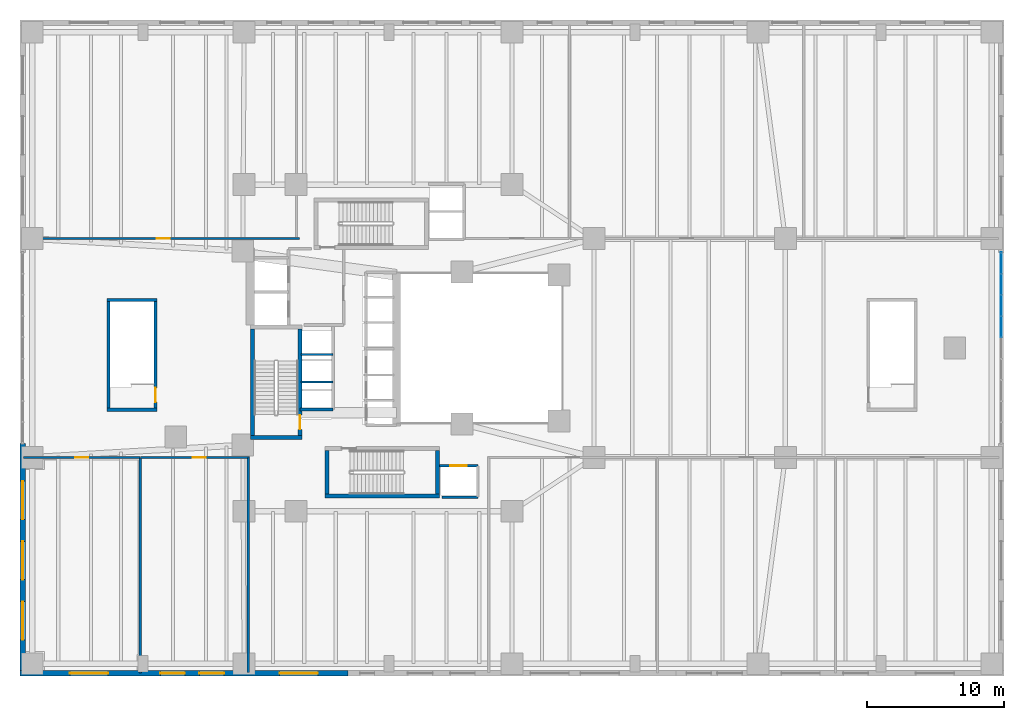
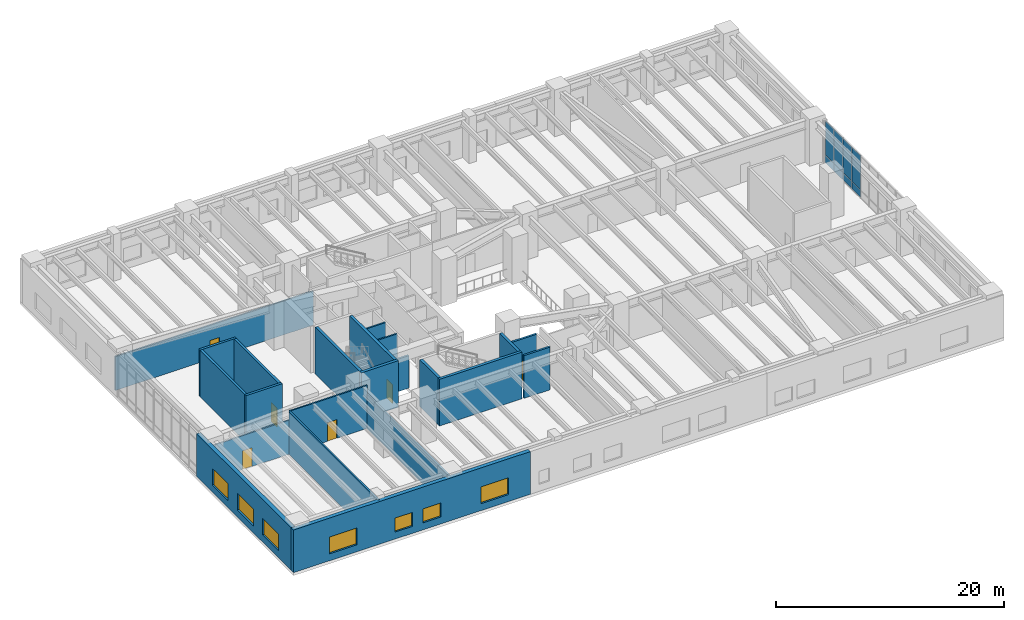
# One storey, part 12 of 18: 22 walls, 12 plates, 7 windows, 6 doors, 13 openings, 1 element without a shape of its own.
"""IFC4 building model written with IfcOpenShell, lengths in metres."""

from ifc_helpers import new_model, si_unit, direction, frame, frame_2d, origin, origin_2d, place, context, subcontext, project, spatial, rectangle, extrude, material, layer, layer_set, type_object, element, fill, aggregate, save


model = new_model("IFC4")

# Units and contexts
model_context = context("Model", 3, precision=1e-05, world=origin(), true_north=direction((0.0, 1.0)))
body_context = subcontext(model_context, "Body", "Model", "MODEL_VIEW")
ifc_project = project(units=[si_unit("LENGTHUNIT", "METRE"), si_unit("AREAUNIT", "SQUARE_METRE"), si_unit("VOLUMEUNIT", "CUBIC_METRE"), si_unit("PLANEANGLEUNIT", "RADIAN"), si_unit("MASSUNIT", "GRAM", prefix="KILO"), si_unit("THERMODYNAMICTEMPERATUREUNIT", "KELVIN"), si_unit("POWERUNIT", "WATT")], contexts=[model_context])

# Site, building, storey
site_placement = place(None, origin())
site = spatial("IfcSite", under=ifc_project, at=site_placement, CompositionType="ELEMENT")
building_placement = place(site_placement, origin())
building = spatial("IfcBuilding", under=site, at=building_placement, Name="Skarre Station Tower", CompositionType="ELEMENT")
storey_placement = place(building_placement, frame((0.0, 0.0, 16.0)))
storey = spatial("IfcBuildingStorey", under=building, at=storey_placement, Name="L04", CompositionType="ELEMENT", Elevation=16.0)

# Curtain wall, plates
ifc_material_1 = material(Name="Thermally Broken Bronze-Anodized Aluminium & Triple Low-E Glass", Category="aluminium")
ifc_layer_1 = layer(ifc_material_1, 0.199951171875, Name="Thermally Broken Bronze-Anodized Aluminium & Triple Low-E Glass")
ifc_layer_set_1 = layer_set([ifc_layer_1], Name="Thermally Broken Bronze-Anodized Aluminium & Triple Low-E Glass")
curtain_wall_type = type_object("IfcCurtainWallType", Name="Podium Transit Arcade Stick Curtain Wall", PredefinedType="NOTDEFINED", material=ifc_layer_set_1)
curtain_wall_placement = place(storey_placement, origin())
curtain_wall = element("IfcCurtainWall", 1, at=curtain_wall_placement, inside=storey, type_object=curtain_wall_type, Name="L04 East Forum Clerestory Curtain Wall", PredefinedType="NOTDEFINED")
ifc_material_2 = material(Name="Insulated Bronze Anodized Aluminium Spandrel", Category="aluminium")
ifc_layer_2 = layer(ifc_material_2, 0.052001953125, Name="Insulated Bronze Anodized Aluminium Spandrel")
ifc_layer_set_2 = layer_set([ifc_layer_2], Name="Insulated Bronze Anodized Aluminium Spandrel")
plate_type_1 = type_object("IfcPlateType", Name="Bronze Insulated Spandrel Sheet Panel 52", PredefinedType="SHEET", material=ifc_layer_set_2)
plate_1_placement = place(storey_placement, frame((71.800048828125, 30.221923828125, 0.05224609375), z_axis=(0.0, 0.0, 1.0), x_axis=(0.0, -1.0, 0.0)))
plate_1 = element("IfcPlate", 2, at=plate_1_placement, type_object=plate_type_1, Name="L04 East Forum Clerestory Curtain Wall Spandrel Panel 1-1", PredefinedType="SHEET", context=body_context, shape_type="SweptSolid", body=[
    extrude(rectangle(XDim=1.531982421875, YDim=0.052001953125, at=origin_2d()), origin(), (0.0, 0.0, 1.0), 0.785888671875),
])
plate_2_placement = place(storey_placement, frame((71.800048828125, 28.6669921875, 0.05224609375), z_axis=(0.0, 0.0, 1.0), x_axis=(0.0, -1.0, 0.0)))
plate_2 = element("IfcPlate", 3, at=plate_2_placement, type_object=plate_type_1, Name="L04 East Forum Clerestory Curtain Wall Spandrel Panel 2-1", PredefinedType="SHEET", context=body_context, shape_type="SweptSolid", body=[
    extrude(rectangle(XDim=1.531982421875, YDim=0.052001953125, at=origin_2d()), origin(), (0.0, 0.0, 1.0), 0.785888671875),
])
plate_3_placement = place(storey_placement, frame((71.800048828125, 27.111083984375, 0.05224609375), z_axis=(0.0, 0.0, 1.0), x_axis=(0.0, -1.0, 0.0)))
plate_3 = element("IfcPlate", 4, at=plate_3_placement, type_object=plate_type_1, Name="L04 East Forum Clerestory Curtain Wall Spandrel Panel 3-1", PredefinedType="SHEET", context=body_context, shape_type="SweptSolid", body=[
    extrude(rectangle(XDim=1.531982421875, YDim=0.052001953125, at=origin_2d()), origin(), (0.0, 0.0, 1.0), 0.785888671875),
])
plate_4_placement = place(storey_placement, frame((71.800048828125, 25.555908203125, 0.05224609375), z_axis=(0.0, 0.0, 1.0), x_axis=(0.0, -1.0, 0.0)))
plate_4 = element("IfcPlate", 5, at=plate_4_placement, type_object=plate_type_1, Name="L04 East Forum Clerestory Curtain Wall Spandrel Panel 4-1", PredefinedType="SHEET", context=body_context, shape_type="SweptSolid", body=[
    extrude(rectangle(XDim=1.531982421875, YDim=0.052001953125, at=origin_2d()), origin(), (0.0, 0.0, 1.0), 0.785888671875),
])
ifc_material_3 = material(Name="Low-Iron Triple Insulating Glass Unit", Category="glass")
ifc_layer_3 = layer(ifc_material_3, 0.0439453125, Name="Low-Iron Triple Insulating Glass Unit")
ifc_layer_set_3 = layer_set([ifc_layer_3], Name="Low-Iron Triple Insulating Glass Unit")
plate_type_2 = type_object("IfcPlateType", Name="Triple-Glazed Vision Curtain Panel 44", PredefinedType="CURTAIN_PANEL", material=ifc_layer_set_3)
plate_5_placement = place(storey_placement, frame((71.800048828125, 30.221923828125, 0.86181640625), z_axis=(0.0, 0.0, 1.0), x_axis=(0.0, -1.0, 0.0)))
plate_5 = element("IfcPlate", 6, at=plate_5_placement, type_object=plate_type_2, Name="L04 East Forum Clerestory Curtain Wall Vision Panel 1-2", PredefinedType="CURTAIN_PANEL", context=body_context, shape_type="SweptSolid", body=[
    extrude(rectangle(XDim=1.531982421875, YDim=0.0439453125, at=origin_2d()), origin(), (0.0, 0.0, 1.0), 2.805908203125),
])
plate_6_placement = place(storey_placement, frame((71.800048828125, 30.221923828125, 3.692138671875), z_axis=(0.0, 0.0, 1.0), x_axis=(0.0, -1.0, 0.0)))
plate_6 = element("IfcPlate", 7, at=plate_6_placement, type_object=plate_type_2, Name="L04 East Forum Clerestory Curtain Wall Vision Panel 1-3", PredefinedType="CURTAIN_PANEL", context=body_context, shape_type="SweptSolid", body=[
    extrude(rectangle(XDim=1.531982421875, YDim=0.0439453125, at=origin_2d()), origin(), (0.0, 0.0, 1.0), 0.8359375),
])
plate_7_placement = place(storey_placement, frame((71.800048828125, 28.6669921875, 0.86181640625), z_axis=(0.0, 0.0, 1.0), x_axis=(0.0, -1.0, 0.0)))
plate_7 = element("IfcPlate", 8, at=plate_7_placement, type_object=plate_type_2, Name="L04 East Forum Clerestory Curtain Wall Vision Panel 2-2", PredefinedType="CURTAIN_PANEL", context=body_context, shape_type="SweptSolid", body=[
    extrude(rectangle(XDim=1.531982421875, YDim=0.0439453125, at=origin_2d()), origin(), (0.0, 0.0, 1.0), 2.805908203125),
])
plate_8_placement = place(storey_placement, frame((71.800048828125, 28.6669921875, 3.692138671875), z_axis=(0.0, 0.0, 1.0), x_axis=(0.0, -1.0, 0.0)))
plate_8 = element("IfcPlate", 9, at=plate_8_placement, type_object=plate_type_2, Name="L04 East Forum Clerestory Curtain Wall Vision Panel 2-3", PredefinedType="CURTAIN_PANEL", context=body_context, shape_type="SweptSolid", body=[
    extrude(rectangle(XDim=1.531982421875, YDim=0.0439453125, at=origin_2d()), origin(), (0.0, 0.0, 1.0), 0.8359375),
])
plate_9_placement = place(storey_placement, frame((71.800048828125, 27.111083984375, 0.86181640625), z_axis=(0.0, 0.0, 1.0), x_axis=(0.0, -1.0, 0.0)))
plate_9 = element("IfcPlate", 10, at=plate_9_placement, type_object=plate_type_2, Name="L04 East Forum Clerestory Curtain Wall Vision Panel 3-2", PredefinedType="CURTAIN_PANEL", context=body_context, shape_type="SweptSolid", body=[
    extrude(rectangle(XDim=1.531982421875, YDim=0.0439453125, at=origin_2d()), origin(), (0.0, 0.0, 1.0), 2.805908203125),
])
plate_10_placement = place(storey_placement, frame((71.800048828125, 27.111083984375, 3.692138671875), z_axis=(0.0, 0.0, 1.0), x_axis=(0.0, -1.0, 0.0)))
plate_10 = element("IfcPlate", 11, at=plate_10_placement, type_object=plate_type_2, Name="L04 East Forum Clerestory Curtain Wall Vision Panel 3-3", PredefinedType="CURTAIN_PANEL", context=body_context, shape_type="SweptSolid", body=[
    extrude(rectangle(XDim=1.531982421875, YDim=0.0439453125, at=origin_2d()), origin(), (0.0, 0.0, 1.0), 0.8359375),
])
plate_11_placement = place(storey_placement, frame((71.800048828125, 25.555908203125, 0.86181640625), z_axis=(0.0, 0.0, 1.0), x_axis=(0.0, -1.0, 0.0)))
plate_11 = element("IfcPlate", 12, at=plate_11_placement, type_object=plate_type_2, Name="L04 East Forum Clerestory Curtain Wall Vision Panel 4-2", PredefinedType="CURTAIN_PANEL", context=body_context, shape_type="SweptSolid", body=[
    extrude(rectangle(XDim=1.531982421875, YDim=0.0439453125, at=origin_2d()), origin(), (0.0, 0.0, 1.0), 2.805908203125),
])
plate_12_placement = place(storey_placement, frame((71.800048828125, 25.555908203125, 3.692138671875), z_axis=(0.0, 0.0, 1.0), x_axis=(0.0, -1.0, 0.0)))
plate_12 = element("IfcPlate", 13, at=plate_12_placement, type_object=plate_type_2, Name="L04 East Forum Clerestory Curtain Wall Vision Panel 4-3", PredefinedType="CURTAIN_PANEL", context=body_context, shape_type="SweptSolid", body=[
    extrude(rectangle(XDim=1.531982421875, YDim=0.0439453125, at=origin_2d()), origin(), (0.0, 0.0, 1.0), 0.8359375),
])
aggregate(curtain_wall, [plate_1, plate_5, plate_6, plate_2, plate_7, plate_8, plate_3, plate_9, plate_10, plate_4, plate_11, plate_12])

# Wall, opening, door
ifc_material_4 = material(Name="Acoustic Steel-Stud Gypsum Partition", Category="steel")
ifc_layer_4 = layer(ifc_material_4, 0.14990234375, Name="Acoustic Steel-Stud Gypsum Partition")
ifc_layer_set_4 = layer_set([ifc_layer_4], Name="Acoustic Steel-Stud Gypsum Partition")
wall_type_1 = type_object("IfcWallType", Name="Fire-Rated Corridor Acoustic Partition 150", PredefinedType="PARTITIONING", material=ifc_layer_set_4)
wall_1_placement = place(storey_placement, frame((0.239990234375, 15.97998046875, 0.0), z_axis=(0.0, 0.0, 1.0), x_axis=(1.0, 0.0, 0.0)))
wall_1 = element("IfcWall", 14, at=wall_1_placement, inside=storey, type_object=wall_type_1, Name="L04 Interior Partition WL-PT-L04-PDSW1-CW", PredefinedType="PARTITIONING", context=body_context, shape_type="SweptSolid", body=[
    extrude(rectangle(XDim=8.532958984375, YDim=0.14990234375, at=frame_2d((4.2666015625, 0.0))), origin(), (0.0, 0.0, 1.0), 3.632080078125),
])
opening_1_placement = place(wall_1_placement, frame((3.787109375, 0.0, 0.0)))
opening_1 = element("IfcOpeningElement", 15, at=opening_1_placement, cuts=wall_1, Name="Opening DR-FD60", PredefinedType="OPENING", context=body_context, shape_type="SweptSolid", body=[
    extrude(rectangle(XDim=0.9599609375, YDim=2.0, at=frame_2d((0.47998046875, 1.0))), frame((0.0, 0.0849609375, 0.0), z_axis=(0.0, -1.0, 0.0), x_axis=(1.0, 0.0, 0.0)), (0.0, 0.0, 1.0), 0.169921875),
])
ifc_material_5 = material(Name="Nordic White-Oak Veneer Solid-Core Fire Leaf", Category="wood")
door_type_1 = type_object("IfcDoorType", Name="Corridor Suite Entry Fire Door FD60 960x2150", OperationType="SINGLE_SWING_LEFT", PredefinedType="DOOR", material=ifc_material_5)
door_1_placement = place(opening_1_placement, origin())
door_1 = element("IfcDoor", 16, at=door_1_placement, inside=storey, type_object=door_type_1, Name="L04 PDSW1 Entry Door", OperationType="SINGLE_SWING_LEFT", OverallHeight=2.0, OverallWidth=0.9599609375, PredefinedType="DOOR", context=body_context, shape_type="SweptSolid", body=[
    extrude(rectangle(XDim=0.9599609375, YDim=2.0, at=frame_2d((0.47998046875, 1.0))), frame((0.0, 0.02490234375, 0.0), z_axis=(0.0, -1.0, 0.0), x_axis=(1.0, 0.0, 0.0)), (0.0, 0.0, 1.0), 0.050048828125),
])
fill(opening_1, door_1)

wall_2_placement = place(storey_placement, frame((8.824951171875, 15.97998046875, 0.0), z_axis=(0.0, 0.0, 1.0), x_axis=(1.0, 0.0, 0.0)))
wall_2 = element("IfcWall", 17, at=wall_2_placement, inside=storey, type_object=wall_type_1, Name="L04 Interior Partition WL-PT-L04-PDSW2-CW", PredefinedType="PARTITIONING", context=body_context, shape_type="SweptSolid", body=[
    extrude(rectangle(XDim=7.875, YDim=0.14990234375, at=frame_2d((3.9375, 0.0))), origin(), (0.0, 0.0, 1.0), 4.580078125),
])
opening_2_placement = place(wall_2_placement, frame((3.80810546875, 0.0, 0.0)))
opening_2 = element("IfcOpeningElement", 18, at=opening_2_placement, cuts=wall_2, Name="Opening DR-FD60", PredefinedType="OPENING", context=body_context, shape_type="SweptSolid", body=[
    extrude(rectangle(XDim=0.9599609375, YDim=2.0, at=frame_2d((0.47998046875, 1.0))), frame((0.0, 0.0849609375, 0.0), z_axis=(0.0, -1.0, 0.0), x_axis=(1.0, 0.0, 0.0)), (0.0, 0.0, 1.0), 0.169921875),
])
door_2_placement = place(opening_2_placement, origin())
door_2 = element("IfcDoor", 19, at=door_2_placement, inside=storey, type_object=door_type_1, Name="L04 PDSW2 Entry Door", OperationType="SINGLE_SWING_LEFT", OverallHeight=2.0, OverallWidth=0.9599609375, PredefinedType="DOOR", context=body_context, shape_type="SweptSolid", body=[
    extrude(rectangle(XDim=0.9599609375, YDim=2.0, at=frame_2d((0.47998046875, 1.0))), frame((0.0, 0.02490234375, 0.0), z_axis=(0.0, -1.0, 0.0), x_axis=(1.0, 0.0, 0.0)), (0.0, 0.0, 1.0), 0.050048828125),
])
fill(opening_2, door_2)

wall_3_placement = place(storey_placement, frame((20.449951171875, 32.02001953125, 0.0), z_axis=(0.0, 0.0, 1.0), x_axis=(-1.0, 0.0, 0.0)))
wall_3 = element("IfcWall", 20, at=wall_3_placement, inside=storey, type_object=wall_type_1, Name="L04 Interior Partition WL-PT-L04-PDN1-CW", PredefinedType="PARTITIONING", context=body_context, shape_type="SweptSolid", body=[
    extrude(rectangle(XDim=20.054931640625, YDim=0.14990234375, at=frame_2d((10.02734375, 0.0))), origin(), (0.0, 0.0, 1.0), 3.632080078125),
])
opening_3_placement = place(wall_3_placement, frame((9.5, 0.0, 0.0)))
opening_3 = element("IfcOpeningElement", 21, at=opening_3_placement, cuts=wall_3, Name="Opening DR-FD60", PredefinedType="OPENING", context=body_context, shape_type="SweptSolid", body=[
    extrude(rectangle(XDim=0.9599609375, YDim=2.0, at=frame_2d((0.47998046875, 1.0))), frame((0.0, 0.0849609375, 0.0), z_axis=(0.0, -1.0, 0.0), x_axis=(1.0, 0.0, 0.0)), (0.0, 0.0, 1.0), 0.169921875),
])
door_3_placement = place(opening_3_placement, origin())
door_3 = element("IfcDoor", 22, at=door_3_placement, inside=storey, type_object=door_type_1, Name="L04 PDN1 Entry Door", OperationType="SINGLE_SWING_LEFT", OverallHeight=2.0, OverallWidth=0.9599609375, PredefinedType="DOOR", context=body_context, shape_type="SweptSolid", body=[
    extrude(rectangle(XDim=0.9599609375, YDim=2.0, at=frame_2d((0.47998046875, 1.0))), frame((0.0, 0.02490234375, 0.0), z_axis=(0.0, -1.0, 0.0), x_axis=(1.0, 0.0, 0.0)), (0.0, 0.0, 1.0), 0.050048828125),
])
fill(opening_3, door_3)

# Wall, openings, windows
ifc_material_6 = material(Name="Precast concrete C45/55", Category="concrete")
ifc_layer_5 = layer(ifc_material_6, 0.39990234375, Name="Precast concrete C45/55")
ifc_layer_set_5 = layer_set([ifc_layer_5], Name="Precast concrete C45/55")
wall_type_2 = type_object("IfcWallType", Name="Nordic Granite Station Podium Wall 400", PredefinedType="STANDARD", material=ifc_layer_set_5)
wall_4_placement = place(storey_placement, frame((24.0, 0.199951171875, 0.0), z_axis=(0.0, 0.0, 1.0), x_axis=(-1.0, 0.0, 0.0)))
wall_4 = element("IfcWall", 23, at=wall_4_placement, inside=storey, type_object=wall_type_2, Name="L04 South Podium Granite Wall SC", PredefinedType="STANDARD", context=body_context, shape_type="SweptSolid", body=[
    extrude(rectangle(XDim=24.0, YDim=0.39990234375, at=frame_2d((12.0, 0.0))), origin(), (0.0, 0.0, 1.0), 4.580078125),
])
opening_4_placement = place(wall_4_placement, frame((2.205078125, 0.0, 0.75)))
opening_4 = element("IfcOpeningElement", 24, at=opening_4_placement, cuts=wall_4, Name="Opening WN-POD", PredefinedType="OPENING", context=body_context, shape_type="SweptSolid", body=[
    extrude(rectangle(XDim=2.800048828125, YDim=1.800048828125, at=frame_2d((1.39990234375, 0.89990234375))), frame((0.0, 0.2099609375, 0.0), z_axis=(0.0, -1.0, 0.0), x_axis=(1.0, 0.0, 0.0)), (0.0, 0.0, 1.0), 0.419921875),
])
opening_5_placement = place(wall_4_placement, frame((9.070068359375, 0.0, 0.75)))
opening_5 = element("IfcOpeningElement", 25, at=opening_5_placement, cuts=wall_4, Name="Opening WN-Z1A", PredefinedType="OPENING", context=body_context, shape_type="SweptSolid", body=[
    extrude(rectangle(XDim=1.800048828125, YDim=1.5, at=frame_2d((0.89990234375, 0.75))), frame((0.0, 0.2099609375, 0.0), z_axis=(0.0, -1.0, 0.0), x_axis=(1.0, 0.0, 0.0)), (0.0, 0.0, 1.0), 0.419921875),
])
opening_6_placement = place(wall_4_placement, frame((11.929931640625, 0.0, 0.75)))
opening_6 = element("IfcOpeningElement", 26, at=opening_6_placement, cuts=wall_4, Name="Opening WN-Z1A", PredefinedType="OPENING", context=body_context, shape_type="SweptSolid", body=[
    extrude(rectangle(XDim=1.800048828125, YDim=1.5, at=frame_2d((0.89990234375, 0.75))), frame((0.0, 0.2099609375, 0.0), z_axis=(0.0, -1.0, 0.0), x_axis=(1.0, 0.0, 0.0)), (0.0, 0.0, 1.0), 0.419921875),
])
opening_7_placement = place(wall_4_placement, frame((17.550048828125, 0.0, 0.75)))
opening_7 = element("IfcOpeningElement", 27, at=opening_7_placement, cuts=wall_4, Name="Opening WN-POD", PredefinedType="OPENING", context=body_context, shape_type="SweptSolid", body=[
    extrude(rectangle(XDim=2.800048828125, YDim=1.800048828125, at=frame_2d((1.39990234375, 0.89990234375))), frame((0.0, 0.2099609375, 0.0), z_axis=(0.0, -1.0, 0.0), x_axis=(1.0, 0.0, 0.0)), (0.0, 0.0, 1.0), 0.419921875),
])
ifc_material_7 = material(Name="Low-Iron Triple Glazing with Bronze Anodized Frame", Category="glass")
window_type_1 = type_object("IfcWindowType", Name="Nordic Punched Triple-Glazed Window 1800x1500", PartitioningType="SINGLE_PANEL", PredefinedType="WINDOW", material=ifc_material_7)
window_1_placement = place(opening_5_placement, origin())
window_1 = element("IfcWindow", 28, at=window_1_placement, inside=storey, type_object=window_type_1, Name="L04 Facade Window WL-POD-L04-SC-2", OverallHeight=1.5, OverallWidth=1.800048828125, PartitioningType="SINGLE_PANEL", PredefinedType="WINDOW", context=body_context, shape_type="SweptSolid", body=[
    extrude(rectangle(XDim=1.800048828125, YDim=1.5, at=frame_2d((0.89990234375, 0.75))), frame((0.0, 0.030029296875, 0.0), z_axis=(0.0, -1.0, 0.0), x_axis=(1.0, 0.0, 0.0)), (0.0, 0.0, 1.0), 0.06005859375),
])
fill(opening_5, window_1)
window_2_placement = place(opening_6_placement, origin())
window_2 = element("IfcWindow", 29, at=window_2_placement, inside=storey, type_object=window_type_1, Name="L04 Facade Window WL-POD-L04-SC-3", OverallHeight=1.5, OverallWidth=1.800048828125, PartitioningType="SINGLE_PANEL", PredefinedType="WINDOW", context=body_context, shape_type="SweptSolid", body=[
    extrude(rectangle(XDim=1.800048828125, YDim=1.5, at=frame_2d((0.89990234375, 0.75))), frame((0.0, 0.030029296875, 0.0), z_axis=(0.0, -1.0, 0.0), x_axis=(1.0, 0.0, 0.0)), (0.0, 0.0, 1.0), 0.06005859375),
])
fill(opening_6, window_2)
window_type_2 = type_object("IfcWindowType", Name="Podium Clerestory Ribbon Window 2800x1800", PartitioningType="SINGLE_PANEL", PredefinedType="WINDOW", material=ifc_material_7)
window_3_placement = place(opening_4_placement, origin())
window_3 = element("IfcWindow", 30, at=window_3_placement, inside=storey, type_object=window_type_2, Name="L04 Facade Window WL-POD-L04-SC-1", OverallHeight=1.800048828125, OverallWidth=2.800048828125, PartitioningType="SINGLE_PANEL", PredefinedType="WINDOW", context=body_context, shape_type="SweptSolid", body=[
    extrude(rectangle(XDim=2.800048828125, YDim=1.800048828125, at=frame_2d((1.39990234375, 0.89990234375))), frame((0.0, 0.030029296875, 0.0), z_axis=(0.0, -1.0, 0.0), x_axis=(1.0, 0.0, 0.0)), (0.0, 0.0, 1.0), 0.06005859375),
])
fill(opening_4, window_3)
window_4_placement = place(opening_7_placement, origin())
window_4 = element("IfcWindow", 31, at=window_4_placement, inside=storey, type_object=window_type_2, Name="L04 Facade Window WL-POD-L04-SC-4", OverallHeight=1.800048828125, OverallWidth=2.800048828125, PartitioningType="SINGLE_PANEL", PredefinedType="WINDOW", context=body_context, shape_type="SweptSolid", body=[
    extrude(rectangle(XDim=2.800048828125, YDim=1.800048828125, at=frame_2d((1.39990234375, 0.89990234375))), frame((0.0, 0.030029296875, 0.0), z_axis=(0.0, -1.0, 0.0), x_axis=(1.0, 0.0, 0.0)), (0.0, 0.0, 1.0), 0.06005859375),
])
fill(opening_7, window_4)

wall_5_placement = place(storey_placement, frame((0.199951171875, 0.39990234375, 0.0), z_axis=(0.0, 0.0, 1.0), x_axis=(0.0, 1.0, 0.0)))
wall_5 = element("IfcWall", 32, at=wall_5_placement, inside=storey, type_object=wall_type_2, Name="L04 Podium Granite Wall WA", PredefinedType="STANDARD", context=body_context, shape_type="SweptSolid", body=[
    extrude(rectangle(XDim=16.60009765625, YDim=0.39990234375, at=frame_2d((8.300048828125, 0.0))), origin(), (0.0, 0.0, 1.0), 4.580078125),
])
opening_8_placement = place(wall_5_placement, frame((2.242919921875, 0.0, 0.75)))
opening_8 = element("IfcOpeningElement", 33, at=opening_8_placement, cuts=wall_5, Name="Opening WN-POD", PredefinedType="OPENING", context=body_context, shape_type="SweptSolid", body=[
    extrude(rectangle(XDim=2.800048828125, YDim=1.800048828125, at=frame_2d((1.39990234375, 0.89990234375))), frame((0.0, 0.2099609375, 0.0), z_axis=(0.0, -1.0, 0.0), x_axis=(1.0, 0.0, 0.0)), (0.0, 0.0, 1.0), 0.419921875),
])
opening_9_placement = place(wall_5_placement, frame((6.64990234375, 0.0, 0.75)))
opening_9 = element("IfcOpeningElement", 34, at=opening_9_placement, cuts=wall_5, Name="Opening WN-POD", PredefinedType="OPENING", context=body_context, shape_type="SweptSolid", body=[
    extrude(rectangle(XDim=2.800048828125, YDim=1.800048828125, at=frame_2d((1.39990234375, 0.89990234375))), frame((0.0, 0.2099609375, 0.0), z_axis=(0.0, -1.0, 0.0), x_axis=(1.0, 0.0, 0.0)), (0.0, 0.0, 1.0), 0.419921875),
])
opening_10_placement = place(wall_5_placement, frame((11.056884765625, 0.0, 0.75)))
opening_10 = element("IfcOpeningElement", 35, at=opening_10_placement, cuts=wall_5, Name="Opening WN-POD", PredefinedType="OPENING", context=body_context, shape_type="SweptSolid", body=[
    extrude(rectangle(XDim=2.800048828125, YDim=1.800048828125, at=frame_2d((1.39990234375, 0.89990234375))), frame((0.0, 0.2099609375, 0.0), z_axis=(0.0, -1.0, 0.0), x_axis=(1.0, 0.0, 0.0)), (0.0, 0.0, 1.0), 0.419921875),
])
window_5_placement = place(opening_8_placement, origin())
window_5 = element("IfcWindow", 36, at=window_5_placement, inside=storey, type_object=window_type_2, Name="L04 Facade Window WL-POD-L04-WA-1", OverallHeight=1.800048828125, OverallWidth=2.800048828125, PartitioningType="SINGLE_PANEL", PredefinedType="WINDOW", context=body_context, shape_type="SweptSolid", body=[
    extrude(rectangle(XDim=2.800048828125, YDim=1.800048828125, at=frame_2d((1.39990234375, 0.89990234375))), frame((0.0, 0.030029296875, 0.0), z_axis=(0.0, -1.0, 0.0), x_axis=(1.0, 0.0, 0.0)), (0.0, 0.0, 1.0), 0.06005859375),
])
fill(opening_8, window_5)
window_6_placement = place(opening_9_placement, origin())
window_6 = element("IfcWindow", 37, at=window_6_placement, inside=storey, type_object=window_type_2, Name="L04 Facade Window WL-POD-L04-WA-2", OverallHeight=1.800048828125, OverallWidth=2.800048828125, PartitioningType="SINGLE_PANEL", PredefinedType="WINDOW", context=body_context, shape_type="SweptSolid", body=[
    extrude(rectangle(XDim=2.800048828125, YDim=1.800048828125, at=frame_2d((1.39990234375, 0.89990234375))), frame((0.0, 0.030029296875, 0.0), z_axis=(0.0, -1.0, 0.0), x_axis=(1.0, 0.0, 0.0)), (0.0, 0.0, 1.0), 0.06005859375),
])
fill(opening_9, window_6)
window_7_placement = place(opening_10_placement, origin())
window_7 = element("IfcWindow", 38, at=window_7_placement, inside=storey, type_object=window_type_2, Name="L04 Facade Window WL-POD-L04-WA-3", OverallHeight=1.800048828125, OverallWidth=2.800048828125, PartitioningType="SINGLE_PANEL", PredefinedType="WINDOW", context=body_context, shape_type="SweptSolid", body=[
    extrude(rectangle(XDim=2.800048828125, YDim=1.800048828125, at=frame_2d((1.39990234375, 0.89990234375))), frame((0.0, 0.030029296875, 0.0), z_axis=(0.0, -1.0, 0.0), x_axis=(1.0, 0.0, 0.0)), (0.0, 0.0, 1.0), 0.06005859375),
])
fill(opening_10, window_7)

# Walls
ifc_material_8 = material(Name="Concrete C50/60", Category="concrete")
ifc_layer_6 = layer(ifc_material_8, 0.239990234375, Name="Concrete C50/60")
ifc_layer_set_6 = layer_set([ifc_layer_6], Name="Concrete C50/60")
wall_type_3 = type_object("IfcWallType", Name="RC Core Shear Wall 240", PredefinedType="SHEAR", material=ifc_layer_set_6)
for number, where, z_axis, x_axis, name in (
    (39, (6.360107421875, 19.47998046875, 0.0), (0.0, 0.0, 1.0), (1.0, 0.0, 0.0), "L04 Podium Stair ST-4 South Shear Wall"),
    (40, (10.0400390625, 27.52001953125, 0.0), (0.0, 0.0, 1.0), (-1.0, 0.0, 0.0), "L04 Podium Stair ST-4 North Shear Wall"),
):
    element("IfcWall", number, at=place(storey_placement, frame(where, z_axis=z_axis, x_axis=x_axis)), inside=storey, type_object=wall_type_3, Name=name, PredefinedType="SHEAR", context=body_context, shape_type="SweptSolid", body=[
        extrude(rectangle(XDim=3.679931640625, YDim=0.239990234375, at=frame_2d((1.83984375, 0.0))), origin(), (0.0, 0.0, 1.0), 5.0),
    ])
wall_6_placement = place(storey_placement, frame((6.47998046875, 27.39990234375, 0.0), z_axis=(0.0, 0.0, 1.0), x_axis=(0.0, -1.0, 0.0)))
element("IfcWall", 41, at=wall_6_placement, inside=storey, type_object=wall_type_3, Name="L04 Podium Stair ST-4 West Shear Wall", PredefinedType="SHEAR", context=body_context, shape_type="SweptSolid", body=[
    extrude(rectangle(XDim=7.7998046875, YDim=0.239990234375, at=frame_2d((3.89990234375, 0.0))), origin(), (0.0, 0.0, 1.0), 5.0),
])

# Wall, opening, door
wall_7_placement = place(storey_placement, frame((9.919921875, 19.60009765625, 0.0), z_axis=(0.0, 0.0, 1.0), x_axis=(0.0, 1.0, 0.0)))
wall_7 = element("IfcWall", 42, at=wall_7_placement, inside=storey, type_object=wall_type_3, Name="L04 Podium Stair ST-4 East Shear Wall", PredefinedType="SHEAR", context=body_context, shape_type="SweptSolid", body=[
    extrude(rectangle(XDim=7.7998046875, YDim=0.239990234375, at=frame_2d((3.89990234375, 0.0))), origin(), (0.0, 0.0, 1.0), 5.0),
])
opening_11_placement = place(wall_7_placement, frame((0.43994140625, 0.0, 0.0)))
opening_11 = element("IfcOpeningElement", 43, at=opening_11_placement, cuts=wall_7, Name="Opening DR-FD90", PredefinedType="OPENING", context=body_context, shape_type="SweptSolid", body=[
    extrude(rectangle(XDim=1.050048828125, YDim=2.0, at=frame_2d((0.52490234375, 1.0))), frame((0.0, 0.1298828125, 0.0), z_axis=(0.0, -1.0, 0.0), x_axis=(1.0, 0.0, 0.0)), (0.0, 0.0, 1.0), 0.260009765625),
])
ifc_material_9 = material(Name="Fire-Rated Insulated Steel Frame & Timber Core Leaf", Category="steel")
door_type_2 = type_object("IfcDoorType", Name="Stair & FSAE Lobby Fire Door FD90 1050x2150", OperationType="SINGLE_SWING_RIGHT", PredefinedType="DOOR", material=ifc_material_9)
door_4_placement = place(opening_11_placement, origin())
door_4 = element("IfcDoor", 44, at=door_4_placement, inside=storey, type_object=door_type_2, Name="L04 Podium Stair ST-4 Exit Door", OperationType="SINGLE_SWING_RIGHT", OverallHeight=2.0, OverallWidth=1.050048828125, PredefinedType="DOOR", context=body_context, shape_type="SweptSolid", body=[
    extrude(rectangle(XDim=1.050048828125, YDim=2.0, at=frame_2d((0.52490234375, 1.0))), frame((0.0, 0.02490234375, 0.0), z_axis=(0.0, -1.0, 0.0), x_axis=(1.0, 0.0, 0.0)), (0.0, 0.0, 1.0), 0.050048828125),
])
fill(opening_11, door_4)

# Walls
ifc_layer_7 = layer(ifc_material_8, 0.280029296875, Name="Concrete C50/60")
ifc_layer_set_7 = layer_set([ifc_layer_7], Name="Concrete C50/60")
wall_type_4 = type_object("IfcWallType", Name="RC Core Shear Wall 280", PredefinedType="SHEAR", material=ifc_layer_set_7)
wall_8_placement = place(storey_placement, frame((16.8701171875, 17.4599609375, 0.0), z_axis=(0.0, 0.0, 1.0), x_axis=(1.0, 0.0, 0.0)))
element("IfcWall", 45, at=wall_8_placement, inside=storey, type_object=wall_type_4, Name="L04 Stair ST-1 South Shear Wall", PredefinedType="SHEAR", context=body_context, shape_type="SweptSolid", body=[
    extrude(rectangle(XDim=3.759765625, YDim=0.280029296875, at=frame_2d((1.8798828125, 0.0))), origin(), (0.0, 0.0, 1.0), 5.0),
])
wall_9_placement = place(storey_placement, frame((17.010009765625, 25.39990234375, 0.0), z_axis=(0.0, 0.0, 1.0), x_axis=(0.0, -1.0, 0.0)))
element("IfcWall", 46, at=wall_9_placement, inside=storey, type_object=wall_type_4, Name="L04 Stair ST-1 West Shear Wall", PredefinedType="SHEAR", context=body_context, shape_type="SweptSolid", body=[
    extrude(rectangle(XDim=7.7998046875, YDim=0.280029296875, at=frame_2d((3.89990234375, 0.0))), origin(), (0.0, 0.0, 1.0), 5.0),
])

# Wall, opening, door
wall_10_placement = place(storey_placement, frame((20.489990234375, 17.60009765625, 0.0), z_axis=(0.0, 0.0, 1.0), x_axis=(0.0, 1.0, 0.0)))
wall_10 = element("IfcWall", 47, at=wall_10_placement, inside=storey, type_object=wall_type_4, Name="L04 Stair ST-1 East Shear Wall", PredefinedType="SHEAR", context=body_context, shape_type="SweptSolid", body=[
    extrude(rectangle(XDim=7.7998046875, YDim=0.280029296875, at=frame_2d((3.89990234375, 0.0))), origin(), (0.0, 0.0, 1.0), 5.0),
])
opening_12_placement = place(wall_10_placement, frame((0.43994140625, 0.0, 0.0)))
opening_12 = element("IfcOpeningElement", 48, at=opening_12_placement, cuts=wall_10, Name="Opening DR-FD90", PredefinedType="OPENING", context=body_context, shape_type="SweptSolid", body=[
    extrude(rectangle(XDim=1.050048828125, YDim=2.0, at=frame_2d((0.52490234375, 1.0))), frame((0.0, 0.14990234375, 0.0), z_axis=(0.0, -1.0, 0.0), x_axis=(1.0, 0.0, 0.0)), (0.0, 0.0, 1.0), 0.300048828125),
])
door_5_placement = place(opening_12_placement, origin())
door_5 = element("IfcDoor", 49, at=door_5_placement, inside=storey, type_object=door_type_2, Name="L04 Stair ST-1 Exit Door", OperationType="SINGLE_SWING_RIGHT", OverallHeight=2.0, OverallWidth=1.050048828125, PredefinedType="DOOR", context=body_context, shape_type="SweptSolid", body=[
    extrude(rectangle(XDim=1.050048828125, YDim=2.0, at=frame_2d((0.52490234375, 1.0))), frame((0.0, 0.02490234375, 0.0), z_axis=(0.0, -1.0, 0.0), x_axis=(1.0, 0.0, 0.0)), (0.0, 0.0, 1.0), 0.050048828125),
])
fill(opening_12, door_5)

# Walls
wall_11_placement = place(storey_placement, frame((22.320068359375, 13.159912109375, 0.0), z_axis=(0.0, 0.0, 1.0), x_axis=(1.0, 0.0, 0.0)))
element("IfcWall", 50, at=wall_11_placement, inside=storey, type_object=wall_type_4, Name="L04 Stair ST-2 South Shear Wall", PredefinedType="SHEAR", context=body_context, shape_type="SweptSolid", body=[
    extrude(rectangle(XDim=8.35986328125, YDim=0.280029296875, at=frame_2d((4.179931640625, 0.0))), origin(), (0.0, 0.0, 1.0), 5.0),
])
for number, where, z_axis, x_axis, name in (
    (51, (22.4599609375, 16.5, 0.0), (0.0, 0.0, 1.0), (0.0, -1.0, 0.0), "L04 Stair ST-2 West Shear Wall"),
    (52, (30.5400390625, 13.300048828125, 0.0), (0.0, 0.0, 1.0), (0.0, 1.0, 0.0), "L04 Stair ST-2 East Shear Wall"),
):
    element("IfcWall", number, at=place(storey_placement, frame(where, z_axis=z_axis, x_axis=x_axis)), inside=storey, type_object=wall_type_4, Name=name, PredefinedType="SHEAR", context=body_context, shape_type="SweptSolid", body=[
        extrude(rectangle(XDim=3.199951171875, YDim=0.280029296875, at=frame_2d((1.60009765625, 0.0))), origin(), (0.0, 0.0, 1.0), 5.0),
    ])

# Wall, opening, door
ifc_material_10 = material(Name="Gypsum Concrete Shaft Assembly C30/37", Category="concrete")
ifc_layer_8 = layer(ifc_material_10, 0.199951171875, Name="Gypsum Concrete Shaft Assembly C30/37")
ifc_layer_set_8 = layer_set([ifc_layer_8], Name="Gypsum Concrete Shaft Assembly C30/37")
wall_type_5 = type_object("IfcWallType", Name="Shaft & Core Fire Partition 200", PredefinedType="PARTITIONING", material=ifc_layer_set_8)
wall_12_placement = place(storey_placement, frame((33.5, 15.3798828125, 0.0), z_axis=(0.0, 0.0, 1.0), x_axis=(-1.0, 0.0, 0.0)))
wall_12 = element("IfcWall", 53, at=wall_12_placement, inside=storey, type_object=wall_type_5, Name="L04 Interior Partition WL-PT-L04-SV1-N", PredefinedType="PARTITIONING", context=body_context, shape_type="SweptSolid", body=[
    extrude(rectangle(XDim=2.820068359375, YDim=0.199951171875, at=frame_2d((1.41015625, 0.0))), origin(), (0.0, 0.0, 1.0), 4.580078125),
])
opening_13_placement = place(wall_12_placement, frame((0.800048828125, 0.0, 0.0)))
opening_13 = element("IfcOpeningElement", 54, at=opening_13_placement, cuts=wall_12, Name="Opening LD-SV1", PredefinedType="OPENING", context=body_context, shape_type="SweptSolid", body=[
    extrude(rectangle(XDim=1.199951171875, YDim=2.199951171875, at=frame_2d((0.60009765625, 1.10009765625))), frame((0.0, 0.10986328125, 0.0), z_axis=(0.0, -1.0, 0.0), x_axis=(1.0, 0.0, 0.0)), (0.0, 0.0, 1.0), 0.219970703125),
])
ifc_material_11 = material(Name="Heavy-Gauge Brushed Stainless Steel Sliding Leaves", Category="steel")
door_type_3 = type_object("IfcDoorType", Name="Service Elevator Wide Sliding Landing Door 1200x2200", OperationType="SLIDING_TO_RIGHT", PredefinedType="DOOR", material=ifc_material_11)
door_6_placement = place(opening_13_placement, origin())
door_6 = element("IfcDoor", 55, at=door_6_placement, inside=storey, type_object=door_type_3, Name="L04 Service Lift LF-SV1 Landing Door", OperationType="SLIDING_TO_RIGHT", OverallHeight=2.199951171875, OverallWidth=1.199951171875, PredefinedType="DOOR", context=body_context, shape_type="SweptSolid", body=[
    extrude(rectangle(XDim=1.199951171875, YDim=2.199951171875, at=frame_2d((0.60009765625, 1.10009765625))), frame((0.0, 0.02490234375, 0.0), z_axis=(0.0, -1.0, 0.0), x_axis=(1.0, 0.0, 0.0)), (0.0, 0.0, 1.0), 0.050048828125),
])
fill(opening_13, door_6)

# Walls
wall_13_placement = place(storey_placement, frame((30.87890625, 13.080078125, 0.0), z_axis=(0.0, 0.0, 1.0), x_axis=(1.0, 0.0, 0.0)))
element("IfcWall", 56, at=wall_13_placement, inside=storey, type_object=wall_type_5, Name="L04 Interior Partition WL-PT-L04-SV1-S", PredefinedType="PARTITIONING", context=body_context, shape_type="SweptSolid", body=[
    extrude(rectangle(XDim=2.62109375, YDim=0.199951171875, at=frame_2d((1.310546875, 0.0))), origin(), (0.0, 0.0, 1.0), 4.580078125),
])
wall_14_placement = place(storey_placement, frame((20.489990234375, 19.5, 0.0), z_axis=(0.0, 0.0, 1.0), x_axis=(1.0, 0.0, 0.0)))
element("IfcWall", 57, at=wall_14_placement, inside=storey, type_object=wall_type_5, Name="L04 Interior Partition WL-PT-L04-B3-S", PredefinedType="PARTITIONING", context=body_context, shape_type="SweptSolid", body=[
    extrude(rectangle(XDim=2.409912109375, YDim=0.199951171875, at=frame_2d((1.205078125, 0.0))), origin(), (0.0, 0.0, 1.0), 3.47998046875),
])
for number, where, z_axis, x_axis, name in (
    (58, (20.550048828125, 21.52001953125, 0.0), (0.0, 0.0, 1.0), (1.0, 0.0, 0.0), "L04 Interior Partition WL-PT-L04-B3-D1"),
    (59, (20.550048828125, 23.52001953125, 0.0), (0.0, 0.0, 1.0), (1.0, 0.0, 0.0), "L04 Interior Partition WL-PT-L04-B3-D2"),
):
    element("IfcWall", number, at=place(storey_placement, frame(where, z_axis=z_axis, x_axis=x_axis)), inside=storey, type_object=wall_type_5, Name=name, PredefinedType="PARTITIONING", context=body_context, shape_type="SweptSolid", body=[
        extrude(rectangle(XDim=2.349853515625, YDim=0.159912109375, at=frame_2d((1.1748046875, 0.0))), origin(), (0.0, 0.0, 1.0), 4.580078125),
    ])
ifc_layer_9 = layer(ifc_material_4, 0.1650390625, Name="Acoustic Steel-Stud Gypsum Partition")
ifc_layer_set_9 = layer_set([ifc_layer_9], Name="Acoustic Steel-Stud Gypsum Partition")
wall_type_6 = type_object("IfcWallType", Name="Suite Demising Acoustic Partition 165", PredefinedType="PARTITIONING", material=ifc_layer_set_9)
wall_15_placement = place(storey_placement, frame((16.699951171875, 0.239990234375, 0.0), z_axis=(0.0, 0.0, 1.0), x_axis=(0.0, 1.0, 0.0)))
element("IfcWall", 60, at=wall_15_placement, inside=storey, type_object=wall_type_6, Name="L04 Interior Partition WL-PT-L04-PDSW-E", PredefinedType="PARTITIONING", context=body_context, shape_type="SweptSolid", body=[
    extrude(rectangle(XDim=15.81005859375, YDim=0.1650390625, at=frame_2d((7.905029296875, 0.0))), origin(), (0.0, 0.0, 1.0), 3.653076171875),
])
wall_16_placement = place(storey_placement, frame((8.799072265625, 0.22998046875, 0.0), z_axis=(0.0, 0.0, 1.0), x_axis=(0.0, 1.0, 0.0)))
element("IfcWall", 61, at=wall_16_placement, inside=storey, type_object=wall_type_6, Name="L04 Interior Partition WL-PT-L04-PDSW-P1", PredefinedType="PARTITIONING", context=body_context, shape_type="SweptSolid", body=[
    extrude(rectangle(XDim=15.679931640625, YDim=0.1650390625, at=frame_2d((7.83984375, 0.0))), origin(), (0.0, 0.0, 1.0), 4.580078125),
])

save(model, "model.ifc")
